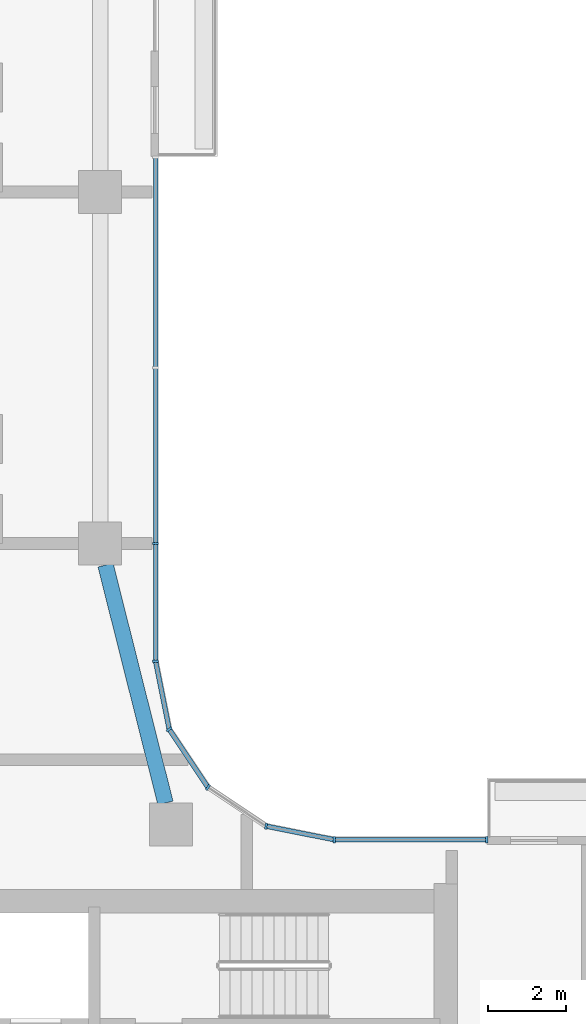
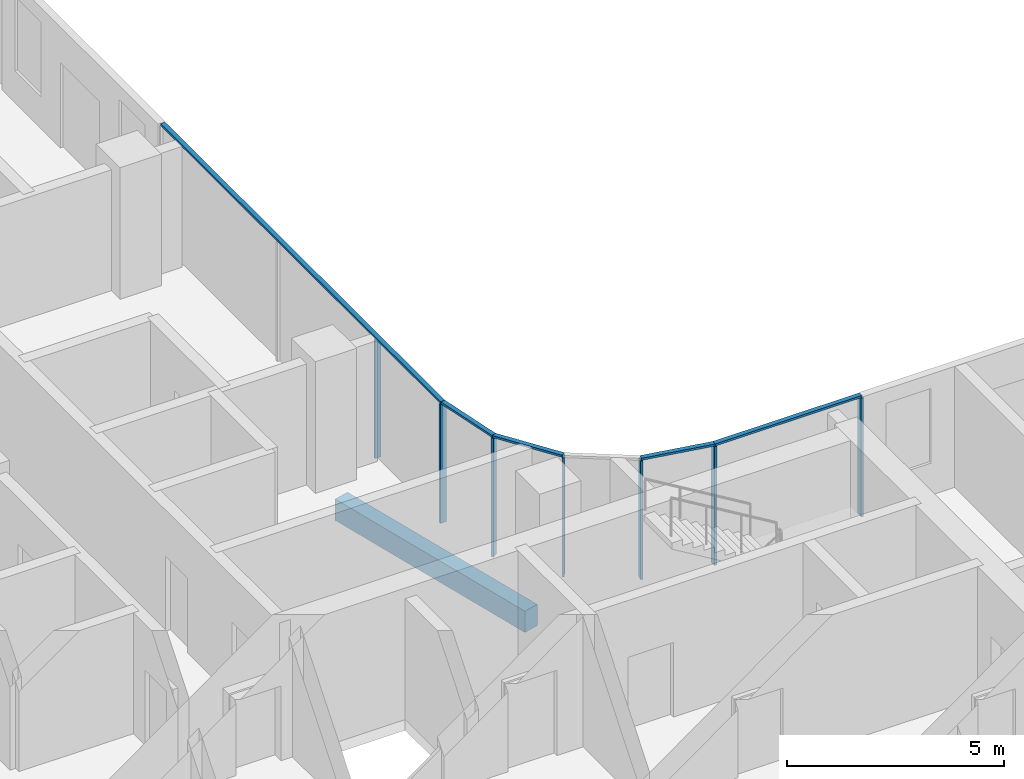
# One storey, part 2 of 22: 12 members, 1 beam, 3 elements without a shape of their own.
"""IFC4 building model written with IfcOpenShell, lengths in metres."""

import ifcopenshell
import ifcopenshell.guid

model = None  # the IFC model being written
_history = None  # IfcOwnerHistory: only IFC2X3 demands one
_inside = {}  # id of a spatial element -> (the spatial element, [elements in it])
_under = {}  # id of a project, library or spatial element -> (it, [spatial elements below it])
_declared = {}  # id of a project -> (the project, [libraries it declares])
_typed = {}  # id of a type object -> (the type object, [elements of that type])
_made_of = {}  # id of a material, layer set ... -> (it, [elements and type objects made of it])


def new_model(schema):
    """Start an empty IFC model of exactly this schema.

    Asked for "IFC4X3", IfcOpenShell would pick the latest addendum, in which some entities
    have other attributes; the version numbers below select the first issue.
    IFC2X3 requires an IfcOwnerHistory on every rooted entity: one is made here for all.
    """
    global model, _history
    if schema == "IFC4X3":
        model = ifcopenshell.file(schema_version=(4, 3, 0, 0))
    else:
        model = ifcopenshell.file(schema=schema)
    _inside.clear()
    _under.clear()
    _declared.clear()
    _typed.clear()
    _made_of.clear()
    _history = None
    if model.schema == "IFC2X3":
        org = make("IfcOrganization", Name="unknown")
        user = make(
            "IfcPersonAndOrganization",
            ThePerson=make("IfcPerson", FamilyName="unknown"),
            TheOrganization=org,
        )
        app = make(
            "IfcApplication",
            ApplicationDeveloper=org,
            Version="unknown",
            ApplicationFullName="unknown",
            ApplicationIdentifier="unknown",
        )
        _history = make(
            "IfcOwnerHistory",
            OwningUser=user,
            OwningApplication=app,
            ChangeAction="ADDED",
            CreationDate=0,
        )
    return model


def make(cls, **values):
    """One entity of the class cls with the attributes given. An attribute that is None is left unset."""
    return model.create_entity(
        cls, **{name: value for name, value in values.items() if value is not None}
    )


def rooted(cls, **values):
    """An entity with a GlobalId (a new one), such as an element, a storey or a relation."""
    return make(cls, GlobalId=ifcopenshell.guid.new(), OwnerHistory=_history, **values)


def si_unit(unit_type, name, prefix=None):
    """IfcSIUnit, for example si_unit("LENGTHUNIT", "METRE", prefix="MILLI")."""
    return make("IfcSIUnit", UnitType=unit_type, Prefix=prefix, Name=name)


def assignment(units):
    """IfcUnitAssignment: the units of a project."""
    return None if units is None else make("IfcUnitAssignment", Units=units)


def point(xyz):
    """IfcCartesianPoint."""
    return None if xyz is None else make("IfcCartesianPoint", Coordinates=xyz)


def direction(xyz):
    """IfcDirection."""
    return None if xyz is None else make("IfcDirection", DirectionRatios=xyz)


def frame(location, z_axis=None, x_axis=None):
    """IfcAxis2Placement3D, a coordinate frame: its origin and axes. An axis left out is left unset."""
    return make(
        "IfcAxis2Placement3D",
        Location=point(location),
        Axis=direction(z_axis),
        RefDirection=direction(x_axis),
    )


def frame_2d(location, x_axis=None):
    """IfcAxis2Placement2D, a coordinate frame in the plane: its origin and x axis."""
    return make(
        "IfcAxis2Placement2D", Location=point(location), RefDirection=direction(x_axis)
    )


def origin():
    """The frame at (0, 0, 0) with its axes left unset."""
    return frame((0.0, 0.0, 0.0))


def origin_2d():
    """The frame at (0, 0) in the plane with its x axis left unset."""
    return frame_2d((0.0, 0.0))


def place(relative_to, where):
    """IfcLocalPlacement: puts the frame where relative to a parent placement (None: the world)."""
    return make(
        "IfcLocalPlacement", PlacementRelTo=relative_to, RelativePlacement=where
    )


def context(
    kind, dimensions, precision=None, world=None, true_north=None, identifier=None
):
    """IfcGeometricRepresentationContext, for example the 3D "Model" context."""
    return make(
        "IfcGeometricRepresentationContext",
        ContextIdentifier=identifier,
        ContextType=kind,
        CoordinateSpaceDimension=dimensions,
        Precision=precision,
        WorldCoordinateSystem=world,
        TrueNorth=true_north,
    )


def subcontext(parent, identifier, kind, view, scale=None):
    """IfcGeometricRepresentationSubContext, for example "Body" below "Model"."""
    return make(
        "IfcGeometricRepresentationSubContext",
        ContextIdentifier=identifier,
        ContextType=kind,
        ParentContext=parent,
        TargetScale=scale,
        TargetView=view,
    )


def project(units=None, contexts=None):
    """IfcProject with its units and contexts."""
    return rooted(
        "IfcProject",
        Name="project",
        RepresentationContexts=contexts,
        UnitsInContext=assignment(units),
    )


def spatial(cls, under=None, at=None, **own):
    """A site, building, storey or space (cls), placed at a placement, below another one or the project."""
    s = rooted(cls, ObjectPlacement=at, **own)
    if under is not None:
        _under.setdefault(under.id(), (under, []))[1].append(s)
    return s


def profile(cls, at=None, kind="AREA", **sizes):
    """A parametric profile (cls). Its sizes go by their IFC names, for example OverallWidth=200.0."""
    return make(cls, ProfileType=kind, Position=at, **sizes)


def rectangle(**sizes):
    """IfcRectangleProfileDef."""
    return profile("IfcRectangleProfileDef", **sizes)


def extrude(swept, where, along, depth):
    """IfcExtrudedAreaSolid: the profile swept, set in the frame where, extruded along a direction by depth."""
    return make(
        "IfcExtrudedAreaSolid",
        SweptArea=swept,
        Position=where,
        ExtrudedDirection=direction(along),
        Depth=depth,
    )


def shape(context_of_items, identifier, shape_type, items):
    """IfcShapeRepresentation: the items that make up one representation, for example the "Body"."""
    return make(
        "IfcShapeRepresentation",
        ContextOfItems=context_of_items,
        RepresentationIdentifier=identifier,
        RepresentationType=shape_type,
        Items=items,
    )


def material(Name=None, Category=None):
    """IfcMaterial."""
    return make("IfcMaterial", Name=Name, Category=Category)


def material_profile(
    of_material, cross_section, Name=None, Category=None, Priority=None
):
    """IfcMaterialProfile: a cross section and its material."""
    return make(
        "IfcMaterialProfile",
        Name=Name,
        Material=of_material,
        Profile=cross_section,
        Priority=Priority,
        Category=Category,
    )


def profile_set(profiles, Name=None, composite=None):
    """IfcMaterialProfileSet."""
    return make(
        "IfcMaterialProfileSet",
        Name=Name,
        MaterialProfiles=profiles,
        CompositeProfile=composite,
    )


def made_of(thing, what):
    """Note that an element or type object is made of a material, layer set ...; save() writes the relation."""
    if what is not None:
        _made_of.setdefault(what.id(), (what, []))[1].append(thing)
    return thing


def type_object(cls, material=None, **own):
    """A type object (cls), such as IfcWallType, which elements share."""
    return made_of(rooted(cls, **own), material)


def element(
    cls,
    number,
    at=None,
    inside=None,
    cuts=None,
    type_object=None,
    material=None,
    context=None,
    identifier="Body",
    shape_type=None,
    held_by="IfcProductDefinitionShape",
    body=None,
    shapes=None,
    **own,
):
    """One element of the class cls, such as IfcWall. Its Tag is "e" and its number.

    at: its placement. inside: the storey or other place that contains it. cuts: it is an
    opening in that element (IfcRelVoidsElement). A single representation is given by context,
    identifier, shape_type and body (its items); several are given by shapes. held_by: the class
    of the entity that holds the representations. save() writes the other relations.
    """
    e = rooted(cls, Tag="e%d" % number, ObjectPlacement=at, **own)
    if body is not None:
        shapes = [shape(context, identifier, shape_type, body)]
    if shapes is not None:
        e.Representation = make(held_by, Representations=shapes)
    if inside is not None:
        _inside.setdefault(inside.id(), (inside, []))[1].append(e)
    if cuts is not None:
        rooted(
            "IfcRelVoidsElement", RelatingBuildingElement=cuts, RelatedOpeningElement=e
        )
    if type_object is not None:
        _typed.setdefault(type_object.id(), (type_object, []))[1].append(e)
    return made_of(e, material)


def aggregate(whole, parts):
    """IfcRelAggregates: a whole, such as a stair, and the parts it consists of."""
    return rooted("IfcRelAggregates", RelatingObject=whole, RelatedObjects=parts)


def save(model, path):
    """Write the relations noted so far, then the file.

    IfcRelAggregates (storeys below a building ...), IfcRelContainedInSpatialStructure (elements
    in a storey), IfcRelDefinesByType, IfcRelAssociatesMaterial and IfcRelDeclares: one each for
    every whole, place, type object, material and project.
    """
    for whole, parts in _under.values():
        aggregate(whole, parts)
    for where, things in _inside.values():
        rooted(
            "IfcRelContainedInSpatialStructure",
            RelatedElements=things,
            RelatingStructure=where,
        )
    for kind, things in _typed.values():
        rooted("IfcRelDefinesByType", RelatedObjects=things, RelatingType=kind)
    for what, things in _made_of.values():
        rooted("IfcRelAssociatesMaterial", RelatedObjects=things, RelatingMaterial=what)
    for by, libraries in _declared.values():
        rooted("IfcRelDeclares", RelatingContext=by, RelatedDefinitions=libraries)
    model.write(path)


model = new_model("IFC4")

# Units and contexts
model_context = context("Model", 3, precision=1e-05, world=origin(), true_north=direction((0.0, 1.0)))
body_context = subcontext(model_context, "Body", "Model", "MODEL_VIEW")
ifc_project = project(units=[si_unit("LENGTHUNIT", "METRE"), si_unit("AREAUNIT", "SQUARE_METRE"), si_unit("VOLUMEUNIT", "CUBIC_METRE"), si_unit("PLANEANGLEUNIT", "RADIAN"), si_unit("MASSUNIT", "GRAM", prefix="KILO")], contexts=[model_context])

# Site, building, storey
site_placement = place(None, origin())
site = spatial("IfcSite", under=ifc_project, at=site_placement, CompositionType="ELEMENT")
building_placement = place(site_placement, origin())
building = spatial("IfcBuilding", under=site, at=building_placement, Name="Ogive Portal Towers", CompositionType="ELEMENT")
storey_placement = place(building_placement, frame((0.0, 0.0, 145.89990234375)))
storey = spatial("IfcBuildingStorey", under=building, at=storey_placement, Name="L35", CompositionType="ELEMENT", Elevation=145.89990234375)

# Curtain wall, members
ifc_material_1 = material(Name="Glass, clear low-iron insulated glazing", Category="glass")
curtain_wall_type = type_object("IfcCurtainWallType", Name="CW FRONT RIBBON 4500", PredefinedType="NOTDEFINED", material=ifc_material_1)
curtain_wall_1_placement = place(storey_placement, origin())
curtain_wall_1 = element("IfcCurtainWall", 1, at=curtain_wall_1_placement, inside=storey, type_object=curtain_wall_type, Name="A:L35:f12:cw2", PredefinedType="NOTDEFINED")
ifc_material_2 = material(Name="Aluminium 6063 anodised", Category="aluminium")
ifc_material_profile_1 = material_profile(ifc_material_2, rectangle(XDim=0.159912109375, YDim=0.06005859375, at=origin_2d()), Name="AL 60x160")
ifc_profile_set_1 = profile_set([ifc_material_profile_1], Name="Aluminium 6063 anodised")
member_type_1 = type_object("IfcMemberType", Name="CW MULLION 60x160", PredefinedType="MULLION", material=ifc_profile_set_1)
member_1_placement = place(storey_placement, frame((59.390869140625, 40.919921875, 0.0), z_axis=(0.0, 0.0, 1.0), x_axis=(0.0, -1.0, 0.0)))
member_1 = element("IfcMember", 2, at=member_1_placement, type_object=member_type_1, Name="mullion", PredefinedType="MULLION", context=body_context, shape_type="SweptSolid", body=[
    extrude(rectangle(XDim=0.159912109375, YDim=0.06005859375, at=origin_2d()), origin(), (0.0, 0.0, 1.0), 3.340087890625),
])
member_2_placement = place(storey_placement, frame((55.4921875, 40.919921875, 0.0), z_axis=(0.0, 0.0, 1.0), x_axis=(0.0, -1.0, 0.0)))
member_2 = element("IfcMember", 3, at=member_2_placement, type_object=member_type_1, Name="mullion", PredefinedType="MULLION", context=body_context, shape_type="SweptSolid", body=[
    extrude(rectangle(XDim=0.159912109375, YDim=0.06005859375, at=origin_2d()), origin(), (0.0, 0.0, 1.0), 3.340087890625),
])

curtain_wall_2_placement = place(storey_placement, origin())
curtain_wall_2 = element("IfcCurtainWall", 4, at=curtain_wall_2_placement, inside=storey, type_object=curtain_wall_type, Name="A:L35:f17:cw0", PredefinedType="NOTDEFINED")
member_3_placement = place(storey_placement, frame((50.919921875, 45.4921875, 0.0), z_axis=(0.0, 0.0, 1.0), x_axis=(-1.0, 0.0, 0.0)))
member_3 = element("IfcMember", 5, at=member_3_placement, type_object=member_type_1, Name="mullion", PredefinedType="MULLION", context=body_context, shape_type="SweptSolid", body=[
    extrude(rectangle(XDim=0.159912109375, YDim=0.06005859375, at=origin_2d()), origin(), (0.0, 0.0, 1.0), 3.340087890625),
])
member_4_placement = place(storey_placement, frame((50.919921875, 48.5, 0.0), z_axis=(0.0, 0.0, 1.0), x_axis=(-1.0, 0.0, 0.0)))
member_4 = element("IfcMember", 6, at=member_4_placement, type_object=member_type_1, Name="mullion", PredefinedType="MULLION", context=body_context, shape_type="SweptSolid", body=[
    extrude(rectangle(XDim=0.159912109375, YDim=0.06005859375, at=origin_2d()), origin(), (0.0, 0.0, 1.0), 3.340087890625),
])

curtain_wall_3_placement = place(storey_placement, origin())
curtain_wall_3 = element("IfcCurtainWall", 7, at=curtain_wall_3_placement, inside=storey, type_object=curtain_wall_type, Name="A:L35:f13:cwa", PredefinedType="NOTDEFINED")
member_5_placement = place(storey_placement, frame((53.746826171875, 41.26708984375, 0.0), z_axis=(0.0, 0.0, 1.0), x_axis=(-0.195090322016, -0.980785280403, 0.0)))
member_5 = element("IfcMember", 8, at=member_5_placement, type_object=member_type_1, Name="mullion", PredefinedType="MULLION", context=body_context, shape_type="SweptSolid", body=[
    extrude(rectangle(XDim=0.159912109375, YDim=0.06005859375, at=origin_2d()), origin(), (0.0, 0.0, 1.0), 3.340087890625),
])
member_6_placement = place(storey_placement, frame((52.26025390625, 42.26025390625, 0.0), z_axis=(0.0, 0.0, 1.0), x_axis=(-0.55557023302, -0.831469612303, 0.0)))
member_6 = element("IfcMember", 9, at=member_6_placement, type_object=member_type_1, Name="mullion", PredefinedType="MULLION", context=body_context, shape_type="SweptSolid", body=[
    extrude(rectangle(XDim=0.159912109375, YDim=0.06005859375, at=origin_2d()), origin(), (0.0, 0.0, 1.0), 3.340087890625),
])
member_7_placement = place(storey_placement, frame((51.26708984375, 43.746826171875, 0.0), z_axis=(0.0, 0.0, 1.0), x_axis=(-0.831469612303, -0.55557023302, 0.0)))
member_7 = element("IfcMember", 10, at=member_7_placement, type_object=member_type_1, Name="mullion", PredefinedType="MULLION", context=body_context, shape_type="SweptSolid", body=[
    extrude(rectangle(XDim=0.159912109375, YDim=0.06005859375, at=origin_2d()), origin(), (0.0, 0.0, 1.0), 3.340087890625),
])

# Member
ifc_material_profile_2 = material_profile(ifc_material_2, rectangle(XDim=0.1201171875, YDim=0.06005859375, at=origin_2d()), Name="AL 120x60")
ifc_profile_set_2 = profile_set([ifc_material_profile_2], Name="Aluminium 6063 anodised")
member_type_2 = type_object("IfcMemberType", Name="CW TRANSOM 60x120", PredefinedType="USERDEFINED", material=ifc_profile_set_2)
member_8_placement = place(storey_placement, frame((59.390869140625, 40.919921875, 3.3701171875), z_axis=(-1.0, 0.0, 0.0), x_axis=(0.0, -1.0, 0.0)))
member_8 = element("IfcMember", 11, at=member_8_placement, type_object=member_type_2, Name="transom", ObjectType="TRANSOM", PredefinedType="USERDEFINED", context=body_context, shape_type="SweptSolid", body=[
    extrude(rectangle(XDim=0.1201171875, YDim=0.06005859375, at=origin_2d()), origin(), (0.0, 0.0, 1.0), 3.898681640625),
])

aggregate(curtain_wall_1, [member_8, member_1, member_2])

member_9_placement = place(storey_placement, frame((50.919921875, 45.4921875, 3.3701171875), z_axis=(0.0, 1.0, 0.0), x_axis=(-1.0, 0.0, 0.0)))
member_9 = element("IfcMember", 12, at=member_9_placement, type_object=member_type_2, Name="transom", ObjectType="TRANSOM", PredefinedType="USERDEFINED", context=body_context, shape_type="SweptSolid", body=[
    extrude(rectangle(XDim=0.1201171875, YDim=0.06005859375, at=origin_2d()), origin(), (0.0, 0.0, 1.0), 12.8974609375),
])

aggregate(curtain_wall_2, [member_9, member_3, member_4])

member_10_placement = place(storey_placement, frame((55.4921875, 40.919921875, 3.3701171875), z_axis=(-0.980785923915, 0.195087086838, 0.0), x_axis=(-0.195087086838, -0.980785923915, 0.0)))
member_10 = element("IfcMember", 13, at=member_10_placement, type_object=member_type_2, Name="transom", ObjectType="TRANSOM", PredefinedType="USERDEFINED", context=body_context, shape_type="SweptSolid", body=[
    extrude(rectangle(XDim=0.1201171875, YDim=0.06005859375, at=origin_2d()), origin(), (0.0, 0.0, 1.0), 1.779541015625),
])

member_11_placement = place(storey_placement, frame((52.26025390625, 42.26025390625, 3.3701171875), z_axis=(-0.555519277244, 0.831503657605, 0.0), x_axis=(-0.831503657605, -0.555519277244, 0.0)))
member_11 = element("IfcMember", 14, at=member_11_placement, type_object=member_type_2, Name="transom", ObjectType="TRANSOM", PredefinedType="USERDEFINED", context=body_context, shape_type="SweptSolid", body=[
    extrude(rectangle(XDim=0.1201171875, YDim=0.06005859375, at=origin_2d()), origin(), (0.0, 0.0, 1.0), 1.787841796875),
])

member_12_placement = place(storey_placement, frame((51.26708984375, 43.746826171875, 3.3701171875), z_axis=(-0.195087086838, 0.980785923915, 0.0), x_axis=(-0.980785923915, -0.195087086838, 0.0)))
member_12 = element("IfcMember", 15, at=member_12_placement, type_object=member_type_2, Name="transom", ObjectType="TRANSOM", PredefinedType="USERDEFINED", context=body_context, shape_type="SweptSolid", body=[
    extrude(rectangle(XDim=0.1201171875, YDim=0.06005859375, at=origin_2d()), origin(), (0.0, 0.0, 1.0), 1.779541015625),
])

aggregate(curtain_wall_3, [member_10, member_11, member_12, member_5, member_6, member_7])

# Beam
ifc_material_3 = material(Name="Concrete C40/50", Category="concrete")
ifc_material_profile_3 = material_profile(ifc_material_3, rectangle(XDim=0.39990234375, YDim=0.60009765625, at=origin_2d()), Name="RC 400x600")
ifc_profile_set_3 = profile_set([ifc_material_profile_3], Name="Concrete C40/50")
beam_type = type_object("IfcBeamType", Name="SPANDREL BEAM RC 400x600", PredefinedType="BEAM", material=ifc_profile_set_3)
beam_placement = place(storey_placement, frame((49.638427734375, 47.949951171875, -0.599853515625), z_axis=(0.244108681121, -0.969747880535, 0.0), x_axis=(0.969747880535, 0.244108681121, 0.0)))
element("IfcBeam", 16, at=beam_placement, inside=storey, type_object=beam_type, Name="Spandrel beam L35", PredefinedType="BEAM", context=body_context, shape_type="SweptSolid", body=[
    extrude(rectangle(XDim=0.39990234375, YDim=0.60009765625, at=origin_2d()), origin(), (0.0, 0.0, 1.0), 6.27978515625),
])

save(model, "model.ifc")
